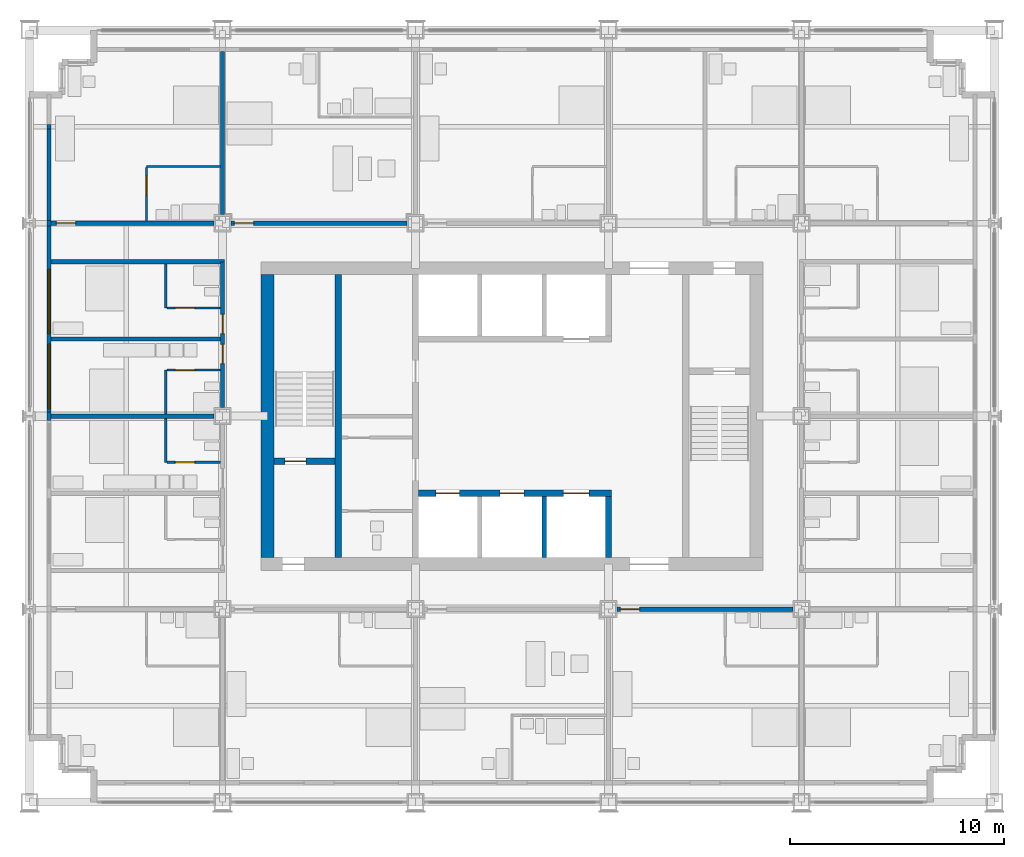
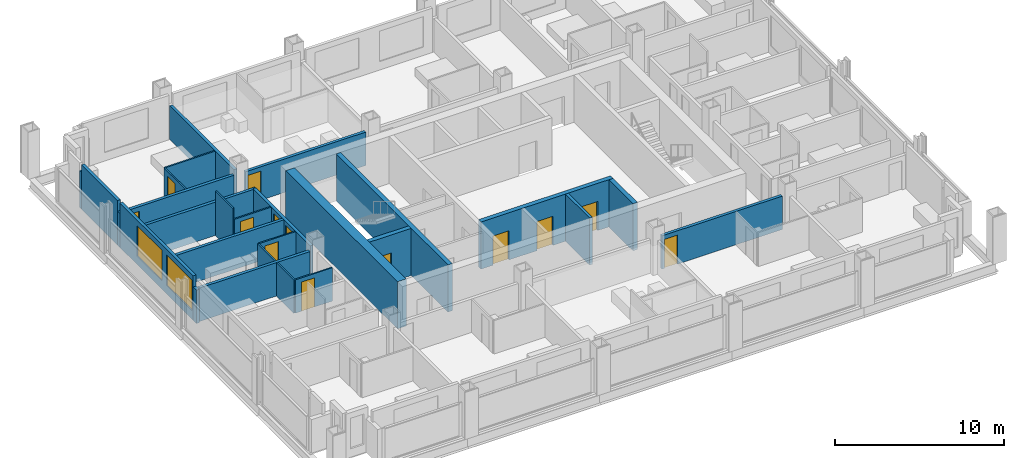
# One storey, part 10 of 16: 27 walls, 13 doors, 2 windows, 15 openings.
"""IFC4 building model written with IfcOpenShell, lengths in metres."""

from ifc_helpers import new_model, si_unit, direction, frame, frame_2d, origin, place, context, subcontext, project, spatial, rectangle, extrude, material, layer, layer_set, type_object, element, fill, save


model = new_model("IFC4")

# Units and contexts
model_context = context("Model", 3, precision=1e-05, world=origin(), true_north=direction((0.0, 1.0)))
body_context = subcontext(model_context, "Body", "Model", "MODEL_VIEW")
ifc_project = project(units=[si_unit("LENGTHUNIT", "METRE"), si_unit("AREAUNIT", "SQUARE_METRE"), si_unit("VOLUMEUNIT", "CUBIC_METRE"), si_unit("PLANEANGLEUNIT", "RADIAN"), si_unit("MASSUNIT", "GRAM", prefix="KILO")], contexts=[model_context])

# Site, building, storey
site_placement = place(None, origin())
site = spatial("IfcSite", under=ifc_project, at=site_placement, CompositionType="ELEMENT")
building_placement = place(site_placement, origin())
building = spatial("IfcBuilding", under=site, at=building_placement, Name="Loomwork Tower", CompositionType="ELEMENT")
storey_placement = place(building_placement, frame((0.0, 0.0, 107.800048828125)))
storey = spatial("IfcBuildingStorey", under=building, at=storey_placement, Name="L28", CompositionType="ELEMENT", Elevation=107.800048828125)

# Wall
ifc_material_1 = material(Name="Concrete 14000 psi (97 MPa)", Category="concrete")
ifc_layer_1 = layer(ifc_material_1, 0.300048828125)
ifc_layer_set_1 = layer_set([ifc_layer_1], Name="Core shear wall 300")
wall_type_1 = type_object("IfcWallType", Name="Core shear wall 300", PredefinedType="SHEAR", material=ifc_layer_set_1)
wall_1_placement = place(storey_placement, frame((14.39990234375, 11.39990234375, 0.0), z_axis=(0.0, 0.0, 1.0), x_axis=(0.0, 1.0, 0.0)))
element("IfcWall", 1, at=wall_1_placement, inside=storey, type_object=wall_type_1, Name="Stair A east wall L28", PredefinedType="SHEAR", context=body_context, shape_type="SweptSolid", body=[
    extrude(rectangle(XDim=13.2001953125, YDim=0.300048828125, at=frame_2d((6.60009765625, 0.0))), origin(), (0.0, 0.0, 1.0), 3.39990234375),
])

# Wall, opening, door
wall_2_placement = place(storey_placement, frame((11.39990234375, 15.89990234375, 0.0), z_axis=(0.0, 0.0, 1.0), x_axis=(1.0, 0.0, 0.0)))
wall_2 = element("IfcWall", 2, at=wall_2_placement, inside=storey, type_object=wall_type_1, Name="Stair A south wall L28", PredefinedType="SHEAR", context=body_context, shape_type="SweptSolid", body=[
    extrude(rectangle(XDim=2.85009765625, YDim=0.300048828125, at=frame_2d((1.425048828125, 0.0))), origin(), (0.0, 0.0, 1.0), 3.39990234375),
])
opening_1_placement = place(wall_2_placement, frame((0.5, 0.0, 0.0)))
opening_1 = element("IfcOpeningElement", 3, at=opening_1_placement, cuts=wall_2, Name="Opening D4", PredefinedType="OPENING", context=body_context, shape_type="SweptSolid", body=[
    extrude(rectangle(XDim=1.0, YDim=2.10009765625, at=frame_2d((0.5, 1.050048828125))), frame((0.0, 0.159912109375, 0.0), z_axis=(0.0, -1.0, 0.0), x_axis=(1.0, 0.0, 0.0)), (0.0, 0.0, 1.0), 0.320068359375),
])
ifc_material_2 = material(Name="Hollow metal door and frame")
door_type_1 = type_object("IfcDoorType", Name="Stair door 1000", OperationType="SINGLE_SWING_RIGHT", PredefinedType="DOOR", material=ifc_material_2)
door_1_placement = place(opening_1_placement, origin())
door_1 = element("IfcDoor", 4, at=door_1_placement, inside=storey, type_object=door_type_1, Name="Stair A door", OperationType="SINGLE_SWING_LEFT", OverallHeight=2.10009765625, OverallWidth=1.0, PredefinedType="DOOR", context=body_context, shape_type="SweptSolid", body=[
    extrude(rectangle(XDim=1.0, YDim=2.10009765625, at=frame_2d((0.5, 1.050048828125))), frame((0.0, 0.02490234375, 0.0), z_axis=(0.0, -1.0, 0.0), x_axis=(1.0, 0.0, 0.0)), (0.0, 0.0, 1.0), 0.050048828125),
])
fill(opening_1, door_1)

# Wall, openings, doors
wall_3_placement = place(storey_placement, frame((18.14990234375, 14.39990234375, 0.0), z_axis=(0.0, 0.0, 1.0), x_axis=(1.0, 0.0, 0.0)))
wall_3 = element("IfcWall", 5, at=wall_3_placement, inside=storey, type_object=wall_type_1, Name="Lift front wall south L28", PredefinedType="SHEAR", context=body_context, shape_type="SweptSolid", body=[
    extrude(rectangle(XDim=9.0, YDim=0.300048828125, at=frame_2d((4.5, 0.0))), origin(), (0.0, 0.0, 1.0), 3.39990234375),
])
opening_2_placement = place(wall_3_placement, frame((0.800048828125, 0.0, 0.0)))
opening_2 = element("IfcOpeningElement", 6, at=opening_2_placement, cuts=wall_3, Name="Opening LD1", PredefinedType="OPENING", context=body_context, shape_type="SweptSolid", body=[
    extrude(rectangle(XDim=1.10009765625, YDim=2.10009765625, at=frame_2d((0.550048828125, 1.050048828125))), frame((0.0, 0.159912109375, 0.0), z_axis=(0.0, -1.0, 0.0), x_axis=(1.0, 0.0, 0.0)), (0.0, 0.0, 1.0), 0.320068359375),
])
opening_3_placement = place(wall_3_placement, frame((3.800048828125, 0.0, 0.0)))
opening_3 = element("IfcOpeningElement", 7, at=opening_3_placement, cuts=wall_3, Name="Opening LD1", PredefinedType="OPENING", context=body_context, shape_type="SweptSolid", body=[
    extrude(rectangle(XDim=1.10009765625, YDim=2.10009765625, at=frame_2d((0.550048828125, 1.050048828125))), frame((0.0, 0.159912109375, 0.0), z_axis=(0.0, -1.0, 0.0), x_axis=(1.0, 0.0, 0.0)), (0.0, 0.0, 1.0), 0.320068359375),
])
opening_4_placement = place(wall_3_placement, frame((6.75, 0.0, 0.0)))
opening_4 = element("IfcOpeningElement", 8, at=opening_4_placement, cuts=wall_3, Name="Opening LD2", PredefinedType="OPENING", context=body_context, shape_type="SweptSolid", body=[
    extrude(rectangle(XDim=1.199951171875, YDim=2.10009765625, at=frame_2d((0.60009765625, 1.050048828125))), frame((0.0, 0.159912109375, 0.0), z_axis=(0.0, -1.0, 0.0), x_axis=(1.0, 0.0, 0.0)), (0.0, 0.0, 1.0), 0.320068359375),
])
ifc_material_3 = material(Name="Hollow metal door and frame")
door_type_2 = type_object("IfcDoorType", Name="Lift landing door 1100", OperationType="SLIDING_TO_LEFT", PredefinedType="DOOR", material=ifc_material_3)
door_2_placement = place(opening_2_placement, origin())
door_2 = element("IfcDoor", 9, at=door_2_placement, inside=storey, type_object=door_type_2, Name="Lift landing door LB1", OperationType="SLIDING_TO_LEFT", OverallHeight=2.10009765625, OverallWidth=1.10009765625, PredefinedType="DOOR", context=body_context, shape_type="SweptSolid", body=[
    extrude(rectangle(XDim=1.10009765625, YDim=2.10009765625, at=frame_2d((0.550048828125, 1.050048828125))), frame((0.0, 0.02490234375, 0.0), z_axis=(0.0, -1.0, 0.0), x_axis=(1.0, 0.0, 0.0)), (0.0, 0.0, 1.0), 0.050048828125),
])
fill(opening_2, door_2)
door_3_placement = place(opening_3_placement, origin())
door_3 = element("IfcDoor", 10, at=door_3_placement, inside=storey, type_object=door_type_2, Name="Lift landing door LB2", OperationType="SLIDING_TO_LEFT", OverallHeight=2.10009765625, OverallWidth=1.10009765625, PredefinedType="DOOR", context=body_context, shape_type="SweptSolid", body=[
    extrude(rectangle(XDim=1.10009765625, YDim=2.10009765625, at=frame_2d((0.550048828125, 1.050048828125))), frame((0.0, 0.02490234375, 0.0), z_axis=(0.0, -1.0, 0.0), x_axis=(1.0, 0.0, 0.0)), (0.0, 0.0, 1.0), 0.050048828125),
])
fill(opening_3, door_3)
ifc_material_4 = material(Name="Hollow metal door and frame")
door_type_3 = type_object("IfcDoorType", Name="Lift landing door 1200", OperationType="SLIDING_TO_LEFT", PredefinedType="DOOR", material=ifc_material_4)
door_4_placement = place(opening_4_placement, origin())
door_4 = element("IfcDoor", 11, at=door_4_placement, inside=storey, type_object=door_type_3, Name="Lift landing door LF1", OperationType="SLIDING_TO_LEFT", OverallHeight=2.10009765625, OverallWidth=1.199951171875, PredefinedType="DOOR", context=body_context, shape_type="SweptSolid", body=[
    extrude(rectangle(XDim=1.199951171875, YDim=2.10009765625, at=frame_2d((0.60009765625, 1.050048828125))), frame((0.0, 0.02490234375, 0.0), z_axis=(0.0, -1.0, 0.0), x_axis=(1.0, 0.0, 0.0)), (0.0, 0.0, 1.0), 0.050048828125),
])
fill(opening_4, door_4)

# Walls
wall_4_placement = place(storey_placement, frame((27.0, 11.39990234375, 0.0), z_axis=(0.0, 0.0, 1.0), x_axis=(0.0, 1.0, 0.0)))
element("IfcWall", 12, at=wall_4_placement, inside=storey, type_object=wall_type_1, Name="Lift shaft end wall south L28", PredefinedType="SHEAR", context=body_context, shape_type="SweptSolid", body=[
    extrude(rectangle(XDim=2.85009765625, YDim=0.300048828125, at=frame_2d((1.425048828125, 0.0))), origin(), (0.0, 0.0, 1.0), 3.39990234375),
])
ifc_material_5 = material(Name="Concrete 14000 psi (97 MPa)", Category="concrete")
ifc_layer_2 = layer(ifc_material_5, 0.60009765625)
ifc_layer_set_2 = layer_set([ifc_layer_2], Name="Core shear wall 600")
wall_type_2 = type_object("IfcWallType", Name="Core shear wall 600", PredefinedType="SHEAR", material=ifc_layer_set_2)
wall_5_placement = place(storey_placement, frame((11.10009765625, 11.39990234375, 0.0), z_axis=(0.0, 0.0, 1.0), x_axis=(0.0, 1.0, 0.0)))
element("IfcWall", 13, at=wall_5_placement, inside=storey, type_object=wall_type_2, Name="Core wall west L28", PredefinedType="SHEAR", context=body_context, shape_type="SweptSolid", body=[
    extrude(rectangle(XDim=13.2001953125, YDim=0.60009765625, at=frame_2d((6.60009765625, 0.0))), origin(), (0.0, 0.0, 1.0), 3.39990234375),
])

# Wall, opening, door
ifc_material_6 = material(Name="Gypsum board on steel studs, one-hour", Category="steel")
ifc_layer_3 = layer(ifc_material_6, 0.199951171875)
ifc_layer_set_3 = layer_set([ifc_layer_3], Name="Corridor wall 200")
wall_type_3 = type_object("IfcWallType", Name="Corridor wall 200", PredefinedType="PARTITIONING", material=ifc_layer_set_3)
wall_6_placement = place(storey_placement, frame((27.39990234375, 9.0, 0.0), z_axis=(0.0, 0.0, 1.0), x_axis=(1.0, 0.0, 0.0)))
wall_6 = element("IfcWall", 14, at=wall_6_placement, inside=storey, type_object=wall_type_3, Name="South corridor wall 4", PredefinedType="PARTITIONING", context=body_context, shape_type="SweptSolid", body=[
    extrude(rectangle(XDim=8.2001953125, YDim=0.199951171875, at=frame_2d((4.10009765625, 0.0))), origin(), (0.0, 0.0, 1.0), 2.405029296875),
])
opening_5_placement = place(wall_6_placement, frame((0.14990234375, 0.0, 0.0)))
opening_5 = element("IfcOpeningElement", 15, at=opening_5_placement, cuts=wall_6, Name="Opening D1", PredefinedType="OPENING", context=body_context, shape_type="SweptSolid", body=[
    extrude(rectangle(XDim=0.89990234375, YDim=2.10009765625, at=frame_2d((0.449951171875, 1.050048828125))), frame((0.0, 0.10986328125, 0.0), z_axis=(0.0, -1.0, 0.0), x_axis=(1.0, 0.0, 0.0)), (0.0, 0.0, 1.0), 0.219970703125),
])
ifc_material_7 = material(Name="Hollow metal door and frame")
door_type_4 = type_object("IfcDoorType", Name="Guest room entry door 900", OperationType="SINGLE_SWING_LEFT", PredefinedType="DOOR", material=ifc_material_7)
door_5_placement = place(opening_5_placement, frame((0.89990234375, 0.0, 0.0), z_axis=(0.0, 0.0, 1.0), x_axis=(-1.0, 0.0, 0.0)))
door_5 = element("IfcDoor", 16, at=door_5_placement, inside=storey, type_object=door_type_4, Name="Guest room entry door L28 4", OperationType="SINGLE_SWING_RIGHT", OverallHeight=2.10009765625, OverallWidth=0.89990234375, PredefinedType="DOOR", context=body_context, shape_type="SweptSolid", body=[
    extrude(rectangle(XDim=0.89990234375, YDim=2.10009765625, at=frame_2d((0.449951171875, 1.050048828125))), frame((0.0, 0.02490234375, 0.0), z_axis=(0.0, -1.0, 0.0), x_axis=(1.0, 0.0, 0.0)), (0.0, 0.0, 1.0), 0.050048828125),
])
fill(opening_5, door_5)

wall_7_placement = place(storey_placement, frame((1.0, 27.0, 0.0), z_axis=(0.0, 0.0, 1.0), x_axis=(1.0, 0.0, 0.0)))
wall_7 = element("IfcWall", 17, at=wall_7_placement, inside=storey, type_object=wall_type_3, Name="North corridor wall 1", PredefinedType="PARTITIONING", context=body_context, shape_type="SweptSolid", body=[
    extrude(rectangle(XDim=7.60009765625, YDim=0.199951171875, at=frame_2d((3.800048828125, 0.0))), origin(), (0.0, 0.0, 1.0), 2.43798828125),
])
opening_6_placement = place(wall_7_placement, frame((0.25, 0.0, 0.0)))
opening_6 = element("IfcOpeningElement", 18, at=opening_6_placement, cuts=wall_7, Name="Opening D1", PredefinedType="OPENING", context=body_context, shape_type="SweptSolid", body=[
    extrude(rectangle(XDim=0.89990234375, YDim=2.10009765625, at=frame_2d((0.449951171875, 1.050048828125))), frame((0.0, 0.10986328125, 0.0), z_axis=(0.0, -1.0, 0.0), x_axis=(1.0, 0.0, 0.0)), (0.0, 0.0, 1.0), 0.219970703125),
])
door_6_placement = place(opening_6_placement, origin())
door_6 = element("IfcDoor", 19, at=door_6_placement, inside=storey, type_object=door_type_4, Name="Guest room entry door L28 6", OperationType="SINGLE_SWING_LEFT", OverallHeight=2.10009765625, OverallWidth=0.89990234375, PredefinedType="DOOR", context=body_context, shape_type="SweptSolid", body=[
    extrude(rectangle(XDim=0.89990234375, YDim=2.10009765625, at=frame_2d((0.449951171875, 1.050048828125))), frame((0.0, 0.02490234375, 0.0), z_axis=(0.0, -1.0, 0.0), x_axis=(1.0, 0.0, 0.0)), (0.0, 0.0, 1.0), 0.050048828125),
])
fill(opening_6, door_6)

wall_8_placement = place(storey_placement, frame((9.39990234375, 27.0, 0.0), z_axis=(0.0, 0.0, 1.0), x_axis=(1.0, 0.0, 0.0)))
wall_8 = element("IfcWall", 20, at=wall_8_placement, inside=storey, type_object=wall_type_3, Name="North corridor wall 2", PredefinedType="PARTITIONING", context=body_context, shape_type="SweptSolid", body=[
    extrude(rectangle(XDim=8.2001953125, YDim=0.199951171875, at=frame_2d((4.10009765625, 0.0))), origin(), (0.0, 0.0, 1.0), 2.405029296875),
])
opening_7_placement = place(wall_8_placement, frame((0.14990234375, 0.0, 0.0)))
opening_7 = element("IfcOpeningElement", 21, at=opening_7_placement, cuts=wall_8, Name="Opening D1", PredefinedType="OPENING", context=body_context, shape_type="SweptSolid", body=[
    extrude(rectangle(XDim=0.89990234375, YDim=2.10009765625, at=frame_2d((0.449951171875, 1.050048828125))), frame((0.0, 0.10986328125, 0.0), z_axis=(0.0, -1.0, 0.0), x_axis=(1.0, 0.0, 0.0)), (0.0, 0.0, 1.0), 0.219970703125),
])
door_7_placement = place(opening_7_placement, origin())
door_7 = element("IfcDoor", 22, at=door_7_placement, inside=storey, type_object=door_type_4, Name="Guest room entry door L28 7", OperationType="SINGLE_SWING_LEFT", OverallHeight=2.10009765625, OverallWidth=0.89990234375, PredefinedType="DOOR", context=body_context, shape_type="SweptSolid", body=[
    extrude(rectangle(XDim=0.89990234375, YDim=2.10009765625, at=frame_2d((0.449951171875, 1.050048828125))), frame((0.0, 0.02490234375, 0.0), z_axis=(0.0, -1.0, 0.0), x_axis=(1.0, 0.0, 0.0)), (0.0, 0.0, 1.0), 0.050048828125),
])
fill(opening_7, door_7)

# Wall, openings, doors
wall_9_placement = place(storey_placement, frame((9.0, 18.39990234375, 0.0), z_axis=(0.0, 0.0, 1.0), x_axis=(0.0, 1.0, 0.0)))
wall_9 = element("IfcWall", 23, at=wall_9_placement, inside=storey, type_object=wall_type_3, Name="West corridor wall 2", PredefinedType="PARTITIONING", context=body_context, shape_type="SweptSolid", body=[
    extrude(rectangle(XDim=6.800048828125, YDim=0.199951171875, at=frame_2d((3.39990234375, 0.0))), origin(), (0.0, 0.0, 1.0), 2.405029296875),
])
opening_8_placement = place(wall_9_placement, frame((2.050048828125, 0.0, 0.0)))
opening_8 = element("IfcOpeningElement", 24, at=opening_8_placement, cuts=wall_9, Name="Opening D1", PredefinedType="OPENING", context=body_context, shape_type="SweptSolid", body=[
    extrude(rectangle(XDim=0.89990234375, YDim=2.10009765625, at=frame_2d((0.449951171875, 1.050048828125))), frame((0.0, 0.10986328125, 0.0), z_axis=(0.0, -1.0, 0.0), x_axis=(1.0, 0.0, 0.0)), (0.0, 0.0, 1.0), 0.219970703125),
])
opening_9_placement = place(wall_9_placement, frame((3.449951171875, 0.0, 0.0)))
opening_9 = element("IfcOpeningElement", 25, at=opening_9_placement, cuts=wall_9, Name="Opening D1", PredefinedType="OPENING", context=body_context, shape_type="SweptSolid", body=[
    extrude(rectangle(XDim=0.89990234375, YDim=2.10009765625, at=frame_2d((0.449951171875, 1.050048828125))), frame((0.0, 0.10986328125, 0.0), z_axis=(0.0, -1.0, 0.0), x_axis=(1.0, 0.0, 0.0)), (0.0, 0.0, 1.0), 0.219970703125),
])
door_8_placement = place(opening_8_placement, origin())
door_8 = element("IfcDoor", 26, at=door_8_placement, inside=storey, type_object=door_type_4, Name="Guest room entry door L28 13", OperationType="SINGLE_SWING_RIGHT", OverallHeight=2.10009765625, OverallWidth=0.89990234375, PredefinedType="DOOR", context=body_context, shape_type="SweptSolid", body=[
    extrude(rectangle(XDim=0.89990234375, YDim=2.10009765625, at=frame_2d((0.449951171875, 1.050048828125))), frame((0.0, 0.02490234375, 0.0), z_axis=(0.0, -1.0, 0.0), x_axis=(1.0, 0.0, 0.0)), (0.0, 0.0, 1.0), 0.050048828125),
])
fill(opening_8, door_8)
door_9_placement = place(opening_9_placement, origin())
door_9 = element("IfcDoor", 27, at=door_9_placement, inside=storey, type_object=door_type_4, Name="Guest room entry door L28 14", OperationType="SINGLE_SWING_LEFT", OverallHeight=2.10009765625, OverallWidth=0.89990234375, PredefinedType="DOOR", context=body_context, shape_type="SweptSolid", body=[
    extrude(rectangle(XDim=0.89990234375, YDim=2.10009765625, at=frame_2d((0.449951171875, 1.050048828125))), frame((0.0, 0.02490234375, 0.0), z_axis=(0.0, -1.0, 0.0), x_axis=(1.0, 0.0, 0.0)), (0.0, 0.0, 1.0), 0.050048828125),
])
fill(opening_9, door_9)

# Walls
wall_10_placement = place(storey_placement, frame((1.0, 25.199951171875, 0.0), z_axis=(0.0, 0.0, 1.0), x_axis=(1.0, 0.0, 0.0)))
element("IfcWall", 28, at=wall_10_placement, inside=storey, type_object=wall_type_3, Name="West band end wall N", PredefinedType="PARTITIONING", context=body_context, shape_type="SweptSolid", body=[
    extrude(rectangle(XDim=8.10009765625, YDim=0.199951171875, at=frame_2d((4.050048828125, 0.0))), origin(), (0.0, 0.0, 1.0), 2.404052734375),
])
ifc_material_8 = material(Name="Cement board on steel studs", Category="steel")
ifc_layer_4 = layer(ifc_material_8, 0.10009765625)
ifc_layer_set_4 = layer_set([ifc_layer_4], Name="En-suite partition 100")
wall_type_4 = type_object("IfcWallType", Name="En-suite partition 100", PredefinedType="PARTITIONING", material=ifc_layer_set_4)
wall_11_placement = place(storey_placement, frame((5.449951171875, 29.64990234375, 0.0), z_axis=(0.0, 0.0, 1.0), x_axis=(1.0, 0.0, 0.0)))
element("IfcWall", 29, at=wall_11_placement, inside=storey, type_object=wall_type_4, Name="En-suite wall L28 room 6", PredefinedType="PARTITIONING", context=body_context, shape_type="SweptSolid", body=[
    extrude(rectangle(XDim=3.449951171875, YDim=0.10009765625, at=frame_2d((1.72509765625, 0.0))), origin(), (0.0, 0.0, 1.0), 2.43798828125),
])

# Wall, opening, door
wall_12_placement = place(storey_placement, frame((5.449951171875, 27.10009765625, 0.0), z_axis=(0.0, 0.0, 1.0), x_axis=(0.0, 1.0, 0.0)))
wall_12 = element("IfcWall", 30, at=wall_12_placement, inside=storey, type_object=wall_type_4, Name="En-suite side wall L28 room 6", PredefinedType="PARTITIONING", context=body_context, shape_type="SweptSolid", body=[
    extrude(rectangle(XDim=2.5, YDim=0.10009765625, at=frame_2d((1.25, 0.0))), origin(), (0.0, 0.0, 1.0), 2.43798828125),
])
opening_10_placement = place(wall_12_placement, frame((1.199951171875, 0.0, 0.0)))
opening_10 = element("IfcOpeningElement", 31, at=opening_10_placement, cuts=wall_12, Name="Opening D2", PredefinedType="OPENING", context=body_context, shape_type="SweptSolid", body=[
    extrude(rectangle(XDim=0.89990234375, YDim=2.10009765625, at=frame_2d((0.449951171875, 1.050048828125))), frame((0.0, 0.06005859375, 0.0), z_axis=(0.0, -1.0, 0.0), x_axis=(1.0, 0.0, 0.0)), (0.0, 0.0, 1.0), 0.1201171875),
])
ifc_material_9 = material(Name="Hollow metal door and frame")
door_type_5 = type_object("IfcDoorType", Name="En-suite door 900", OperationType="SINGLE_SWING_LEFT", PredefinedType="DOOR", material=ifc_material_9)
door_10_placement = place(opening_10_placement, frame((0.89990234375, 0.0, 0.0), z_axis=(0.0, 0.0, 1.0), x_axis=(-1.0, 0.0, 0.0)))
door_10 = element("IfcDoor", 32, at=door_10_placement, inside=storey, type_object=door_type_5, Name="En-suite door room 6", OperationType="SINGLE_SWING_LEFT", OverallHeight=2.10009765625, OverallWidth=0.89990234375, PredefinedType="DOOR", context=body_context, shape_type="SweptSolid", body=[
    extrude(rectangle(XDim=0.89990234375, YDim=2.10009765625, at=frame_2d((0.449951171875, 1.050048828125))), frame((0.0, 0.02490234375, 0.0), z_axis=(0.0, -1.0, 0.0), x_axis=(1.0, 0.0, 0.0)), (0.0, 0.0, 1.0), 0.050048828125),
])
fill(opening_10, door_10)

# Wall
wall_13_placement = place(storey_placement, frame((6.35009765625, 15.85009765625, 0.0), z_axis=(0.0, 0.0, 1.0), x_axis=(0.0, 1.0, 0.0)))
element("IfcWall", 33, at=wall_13_placement, inside=storey, type_object=wall_type_4, Name="En-suite wall L28 room 12", PredefinedType="PARTITIONING", context=body_context, shape_type="SweptSolid", body=[
    extrude(rectangle(XDim=2.0498046875, YDim=0.10009765625, at=frame_2d((1.02490234375, 0.0))), origin(), (0.0, 0.0, 1.0), 2.404052734375),
])

# Wall, opening, door
wall_14_placement = place(storey_placement, frame((8.89990234375, 15.85009765625, 0.0), z_axis=(0.0, 0.0, 1.0), x_axis=(-1.0, 0.0, 0.0)))
wall_14 = element("IfcWall", 34, at=wall_14_placement, inside=storey, type_object=wall_type_4, Name="En-suite side wall L28 room 12", PredefinedType="PARTITIONING", context=body_context, shape_type="SweptSolid", body=[
    extrude(rectangle(XDim=2.5, YDim=0.10009765625, at=frame_2d((1.25, 0.0))), origin(), (0.0, 0.0, 1.0), 2.404052734375),
])
opening_11_placement = place(wall_14_placement, frame((1.199951171875, 0.0, 0.0)))
opening_11 = element("IfcOpeningElement", 35, at=opening_11_placement, cuts=wall_14, Name="Opening D2", PredefinedType="OPENING", context=body_context, shape_type="SweptSolid", body=[
    extrude(rectangle(XDim=0.89990234375, YDim=2.10009765625, at=frame_2d((0.449951171875, 1.050048828125))), frame((0.0, 0.06005859375, 0.0), z_axis=(0.0, -1.0, 0.0), x_axis=(1.0, 0.0, 0.0)), (0.0, 0.0, 1.0), 0.1201171875),
])
door_11_placement = place(opening_11_placement, frame((0.89990234375, 0.0, 0.0), z_axis=(0.0, 0.0, 1.0), x_axis=(-1.0, 0.0, 0.0)))
door_11 = element("IfcDoor", 36, at=door_11_placement, inside=storey, type_object=door_type_5, Name="En-suite door room 12", OperationType="SINGLE_SWING_LEFT", OverallHeight=2.10009765625, OverallWidth=0.89990234375, PredefinedType="DOOR", context=body_context, shape_type="SweptSolid", body=[
    extrude(rectangle(XDim=0.89990234375, YDim=2.10009765625, at=frame_2d((0.449951171875, 1.050048828125))), frame((0.0, 0.02490234375, 0.0), z_axis=(0.0, -1.0, 0.0), x_axis=(1.0, 0.0, 0.0)), (0.0, 0.0, 1.0), 0.050048828125),
])
fill(opening_11, door_11)

# Wall
wall_15_placement = place(storey_placement, frame((6.35009765625, 18.10009765625, 0.0), z_axis=(0.0, 0.0, 1.0), x_axis=(0.0, 1.0, 0.0)))
element("IfcWall", 37, at=wall_15_placement, inside=storey, type_object=wall_type_4, Name="En-suite wall L28 room 13", PredefinedType="PARTITIONING", context=body_context, shape_type="SweptSolid", body=[
    extrude(rectangle(XDim=2.0498046875, YDim=0.10009765625, at=frame_2d((1.02490234375, 0.0))), origin(), (0.0, 0.0, 1.0), 2.404052734375),
])

# Wall, opening, door
wall_16_placement = place(storey_placement, frame((8.89990234375, 20.14990234375, 0.0), z_axis=(0.0, 0.0, 1.0), x_axis=(-1.0, 0.0, 0.0)))
wall_16 = element("IfcWall", 38, at=wall_16_placement, inside=storey, type_object=wall_type_4, Name="En-suite side wall L28 room 13", PredefinedType="PARTITIONING", context=body_context, shape_type="SweptSolid", body=[
    extrude(rectangle(XDim=2.5, YDim=0.10009765625, at=frame_2d((1.25, 0.0))), origin(), (0.0, 0.0, 1.0), 2.404052734375),
])
opening_12_placement = place(wall_16_placement, frame((1.199951171875, 0.0, 0.0)))
opening_12 = element("IfcOpeningElement", 39, at=opening_12_placement, cuts=wall_16, Name="Opening D2", PredefinedType="OPENING", context=body_context, shape_type="SweptSolid", body=[
    extrude(rectangle(XDim=0.89990234375, YDim=2.10009765625, at=frame_2d((0.449951171875, 1.050048828125))), frame((0.0, 0.06005859375, 0.0), z_axis=(0.0, -1.0, 0.0), x_axis=(1.0, 0.0, 0.0)), (0.0, 0.0, 1.0), 0.1201171875),
])
door_12_placement = place(opening_12_placement, origin())
door_12 = element("IfcDoor", 40, at=door_12_placement, inside=storey, type_object=door_type_5, Name="En-suite door room 13", OperationType="SINGLE_SWING_RIGHT", OverallHeight=2.10009765625, OverallWidth=0.89990234375, PredefinedType="DOOR", context=body_context, shape_type="SweptSolid", body=[
    extrude(rectangle(XDim=0.89990234375, YDim=2.10009765625, at=frame_2d((0.449951171875, 1.050048828125))), frame((0.0, 0.02490234375, 0.0), z_axis=(0.0, -1.0, 0.0), x_axis=(1.0, 0.0, 0.0)), (0.0, 0.0, 1.0), 0.050048828125),
])
fill(opening_12, door_12)

# Wall
wall_17_placement = place(storey_placement, frame((6.35009765625, 23.050048828125, 0.0), z_axis=(0.0, 0.0, 1.0), x_axis=(0.0, 1.0, 0.0)))
element("IfcWall", 41, at=wall_17_placement, inside=storey, type_object=wall_type_4, Name="En-suite wall L28 room 14", PredefinedType="PARTITIONING", context=body_context, shape_type="SweptSolid", body=[
    extrude(rectangle(XDim=2.050048828125, YDim=0.10009765625, at=frame_2d((1.02490234375, 0.0))), origin(), (0.0, 0.0, 1.0), 3.199951171875),
])

# Wall, opening, door
wall_18_placement = place(storey_placement, frame((8.89990234375, 23.050048828125, 0.0), z_axis=(0.0, 0.0, 1.0), x_axis=(-1.0, 0.0, 0.0)))
wall_18 = element("IfcWall", 42, at=wall_18_placement, inside=storey, type_object=wall_type_4, Name="En-suite side wall L28 room 14", PredefinedType="PARTITIONING", context=body_context, shape_type="SweptSolid", body=[
    extrude(rectangle(XDim=2.5, YDim=0.10009765625, at=frame_2d((1.25, 0.0))), origin(), (0.0, 0.0, 1.0), 2.404052734375),
])
opening_13_placement = place(wall_18_placement, frame((1.199951171875, 0.0, 0.0)))
opening_13 = element("IfcOpeningElement", 43, at=opening_13_placement, cuts=wall_18, Name="Opening D2", PredefinedType="OPENING", context=body_context, shape_type="SweptSolid", body=[
    extrude(rectangle(XDim=0.89990234375, YDim=2.10009765625, at=frame_2d((0.449951171875, 1.050048828125))), frame((0.0, 0.06005859375, 0.0), z_axis=(0.0, -1.0, 0.0), x_axis=(1.0, 0.0, 0.0)), (0.0, 0.0, 1.0), 0.1201171875),
])
door_13_placement = place(opening_13_placement, frame((0.89990234375, 0.0, 0.0), z_axis=(0.0, 0.0, 1.0), x_axis=(-1.0, 0.0, 0.0)))
door_13 = element("IfcDoor", 44, at=door_13_placement, inside=storey, type_object=door_type_5, Name="En-suite door room 14", OperationType="SINGLE_SWING_LEFT", OverallHeight=2.10009765625, OverallWidth=0.89990234375, PredefinedType="DOOR", context=body_context, shape_type="SweptSolid", body=[
    extrude(rectangle(XDim=0.89990234375, YDim=2.10009765625, at=frame_2d((0.449951171875, 1.050048828125))), frame((0.0, 0.02490234375, 0.0), z_axis=(0.0, -1.0, 0.0), x_axis=(1.0, 0.0, 0.0)), (0.0, 0.0, 1.0), 0.050048828125),
])
fill(opening_13, door_13)

# Walls
ifc_material_10 = material(Name="Gypsum board on steel studs, acoustic", Category="steel")
ifc_layer_5 = layer(ifc_material_10, 0.199951171875)
ifc_layer_set_5 = layer_set([ifc_layer_5], Name="Guest room party wall 200")
wall_type_5 = type_object("IfcWallType", Name="Guest room party wall 200", PredefinedType="PARTITIONING", material=ifc_layer_set_5)
wall_19_placement = place(storey_placement, frame((9.0, 27.39990234375, 0.0), z_axis=(0.0, 0.0, 1.0), x_axis=(0.0, 1.0, 0.0)))
element("IfcWall", 45, at=wall_19_placement, inside=storey, type_object=wall_type_5, Name="Guest room party wall N 9", PredefinedType="PARTITIONING", context=body_context, shape_type="SweptSolid", body=[
    extrude(rectangle(XDim=7.60009765625, YDim=0.199951171875, at=frame_2d((3.800048828125, 0.0))), origin(), (0.0, 0.0, 1.0), 2.43798828125),
])
wall_20_placement = place(storey_placement, frame((8.60009765625, 18.0, 0.0), z_axis=(0.0, 0.0, 1.0), x_axis=(-1.0, 0.0, 0.0)))
element("IfcWall", 46, at=wall_20_placement, inside=storey, type_object=wall_type_5, Name="Guest room party wall W 18", PredefinedType="PARTITIONING", context=body_context, shape_type="SweptSolid", body=[
    extrude(rectangle(XDim=7.60009765625, YDim=0.199951171875, at=frame_2d((3.800048828125, 0.0))), origin(), (0.0, 0.0, 1.0), 2.405029296875),
])
wall_21_placement = place(storey_placement, frame((8.89990234375, 21.60009765625, 0.0), z_axis=(0.0, 0.0, 1.0), x_axis=(-1.0, 0.0, 0.0)))
element("IfcWall", 47, at=wall_21_placement, inside=storey, type_object=wall_type_5, Name="Guest room party wall W 21.6", PredefinedType="PARTITIONING", context=body_context, shape_type="SweptSolid", body=[
    extrude(rectangle(XDim=7.89990234375, YDim=0.199951171875, at=frame_2d((3.949951171875, 0.0))), origin(), (0.0, 0.0, 1.0), 2.404052734375),
])
ifc_material_11 = material(Name="Insulated steel stud wall with gypsum lining", Category="steel")
ifc_layer_6 = layer(ifc_material_11, 0.199951171875)
ifc_layer_set_6 = layer_set([ifc_layer_6], Name="Inner skin wall 200")
wall_type_6 = type_object("IfcWallType", Name="Inner skin wall 200", PredefinedType="SOLIDWALL", material=ifc_layer_set_6)
wall_22_placement = place(storey_placement, frame((0.89990234375, 17.80615234375, 0.0), z_axis=(0.0, 0.0, 1.0), x_axis=(0.0, 1.0, 0.0)))
element("IfcWall", 48, at=wall_22_placement, inside=storey, type_object=wall_type_6, Name="Inner skin wall W bay 6", PredefinedType="SOLIDWALL", context=body_context, shape_type="SweptSolid", body=[
    extrude(rectangle(XDim=0.3876953125, YDim=0.199951171875, at=frame_2d((0.19384765625, 0.0))), origin(), (0.0, 0.0, 1.0), 2.404052734375),
])

# Wall, openings, windows
wall_23_placement = place(storey_placement, frame((0.89990234375, 18.19384765625, 0.0), z_axis=(0.0, 0.0, 1.0), x_axis=(0.0, 1.0, 0.0)))
wall_23 = element("IfcWall", 49, at=wall_23_placement, inside=storey, type_object=wall_type_6, Name="Inner skin wall W bay 7", PredefinedType="SOLIDWALL", context=body_context, shape_type="SweptSolid", body=[
    extrude(rectangle(XDim=8.6708984375, YDim=0.199951171875, at=frame_2d((4.33544921875, 0.0))), origin(), (0.0, 0.0, 1.0), 3.199951171875),
])
opening_14_placement = place(wall_23_placement, frame((0.15625, 0.0, 0.60009765625)))
opening_14 = element("IfcOpeningElement", 50, at=opening_14_placement, cuts=wall_23, Name="Opening CH1", PredefinedType="OPENING", context=body_context, shape_type="SweptSolid", body=[
    extrude(rectangle(XDim=3.0, YDim=2.199951171875, at=frame_2d((1.5, 1.10009765625))), frame((0.0, 0.10986328125, 0.0), z_axis=(0.0, -1.0, 0.0), x_axis=(1.0, 0.0, 0.0)), (0.0, 0.0, 1.0), 0.219970703125),
])
opening_15_placement = place(wall_23_placement, frame((3.65625, 0.0, 0.60009765625)))
opening_15 = element("IfcOpeningElement", 51, at=opening_15_placement, cuts=wall_23, Name="Opening CH1", PredefinedType="OPENING", context=body_context, shape_type="SweptSolid", body=[
    extrude(rectangle(XDim=3.0, YDim=2.199951171875, at=frame_2d((1.5, 1.10009765625))), frame((0.0, 0.10986328125, 0.0), z_axis=(0.0, -1.0, 0.0), x_axis=(1.0, 0.0, 0.0)), (0.0, 0.0, 1.0), 0.219970703125),
])
ifc_material_12 = material(Name="Aluminium frame with clear insulated glass", Category="aluminium")
window_type = type_object("IfcWindowType", Name="Chicago window 3000", PartitioningType="TRIPLE_PANEL_VERTICAL", PredefinedType="WINDOW", material=ifc_material_12)
window_1_placement = place(opening_14_placement, origin())
window_1 = element("IfcWindow", 52, at=window_1_placement, inside=storey, type_object=window_type, Name="Chicago window L28 bay 12", OverallHeight=2.199951171875, OverallWidth=3.0, PartitioningType="TRIPLE_PANEL_VERTICAL", PredefinedType="WINDOW", context=body_context, shape_type="SweptSolid", body=[
    extrude(rectangle(XDim=3.0, YDim=2.199951171875, at=frame_2d((1.5, 1.10009765625))), frame((0.0, 0.030029296875, 0.0), z_axis=(0.0, -1.0, 0.0), x_axis=(1.0, 0.0, 0.0)), (0.0, 0.0, 1.0), 0.06005859375),
])
fill(opening_14, window_1)
window_2_placement = place(opening_15_placement, origin())
window_2 = element("IfcWindow", 53, at=window_2_placement, inside=storey, type_object=window_type, Name="Chicago window L28 bay 12", OverallHeight=2.199951171875, OverallWidth=3.0, PartitioningType="TRIPLE_PANEL_VERTICAL", PredefinedType="WINDOW", context=body_context, shape_type="SweptSolid", body=[
    extrude(rectangle(XDim=3.0, YDim=2.199951171875, at=frame_2d((1.5, 1.10009765625))), frame((0.0, 0.030029296875, 0.0), z_axis=(0.0, -1.0, 0.0), x_axis=(1.0, 0.0, 0.0)), (0.0, 0.0, 1.0), 0.06005859375),
])
fill(opening_15, window_2)

# Walls
wall_24_placement = place(storey_placement, frame((0.89990234375, 26.86474609375, 0.0), z_axis=(0.0, 0.0, 1.0), x_axis=(0.0, 1.0, 0.0)))
element("IfcWall", 54, at=wall_24_placement, inside=storey, type_object=wall_type_6, Name="Inner skin wall W bay 8", PredefinedType="SOLIDWALL", context=body_context, shape_type="SweptSolid", body=[
    extrude(rectangle(XDim=0.2705078125, YDim=0.199951171875, at=frame_2d((0.13525390625, 0.0))), origin(), (0.0, 0.0, 1.0), 2.43798828125),
])
wall_25_placement = place(storey_placement, frame((0.89990234375, 27.13525390625, 0.0), z_axis=(0.0, 0.0, 1.0), x_axis=(0.0, 1.0, 0.0)))
element("IfcWall", 55, at=wall_25_placement, inside=storey, type_object=wall_type_6, Name="Inner skin wall W bay 9", PredefinedType="SOLIDWALL", context=body_context, shape_type="SweptSolid", body=[
    extrude(rectangle(XDim=4.25732421875, YDim=0.199951171875, at=frame_2d((2.128662109375, 0.0))), origin(), (0.0, 0.0, 1.0), 3.199951171875),
])
wall_26_placement = place(storey_placement, frame((0.89990234375, 31.392578125, 0.0), z_axis=(0.0, 0.0, 1.0), x_axis=(0.0, 1.0, 0.0)))
element("IfcWall", 56, at=wall_26_placement, inside=storey, type_object=wall_type_6, Name="Inner skin wall W bay 10", PredefinedType="SOLIDWALL", context=body_context, shape_type="SweptSolid", body=[
    extrude(rectangle(XDim=0.21484375, YDim=0.199951171875, at=frame_2d((0.107421875, 0.0))), origin(), (0.0, 0.0, 1.0), 2.660888671875),
])
ifc_material_13 = material(Name="Concrete 14000 psi (97 MPa)", Category="concrete")
ifc_layer_7 = layer(ifc_material_13, 0.199951171875)
ifc_layer_set_7 = layer_set([ifc_layer_7], Name="Lift shaft wall 200")
wall_type_7 = type_object("IfcWallType", Name="Lift shaft wall 200", PredefinedType="SHEAR", material=ifc_layer_set_7)
wall_27_placement = place(storey_placement, frame((24.0, 11.39990234375, 0.0), z_axis=(0.0, 0.0, 1.0), x_axis=(0.0, 1.0, 0.0)))
element("IfcWall", 57, at=wall_27_placement, inside=storey, type_object=wall_type_7, Name="Lift shaft separation wall south 2 L28", PredefinedType="SHEAR", context=body_context, shape_type="SweptSolid", body=[
    extrude(rectangle(XDim=2.85009765625, YDim=0.199951171875, at=frame_2d((1.425048828125, 0.0))), origin(), (0.0, 0.0, 1.0), 3.39990234375),
])

save(model, "model.ifc")
